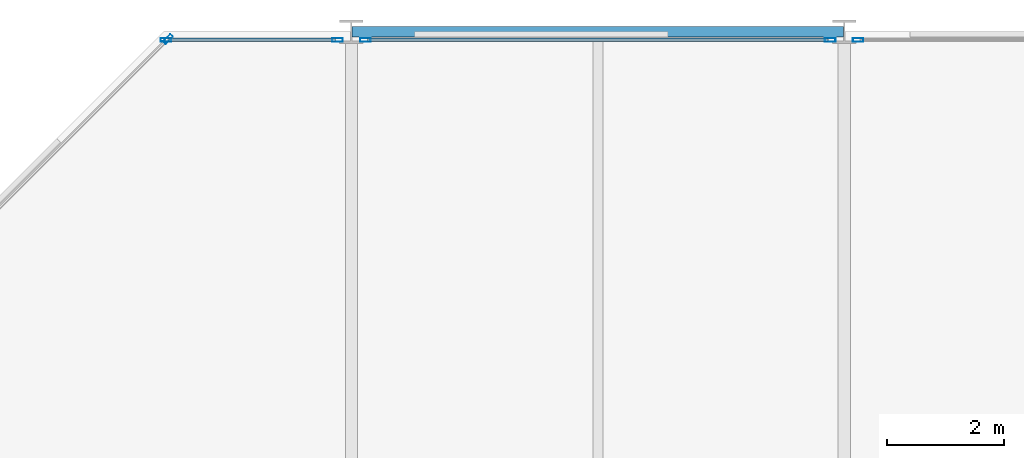
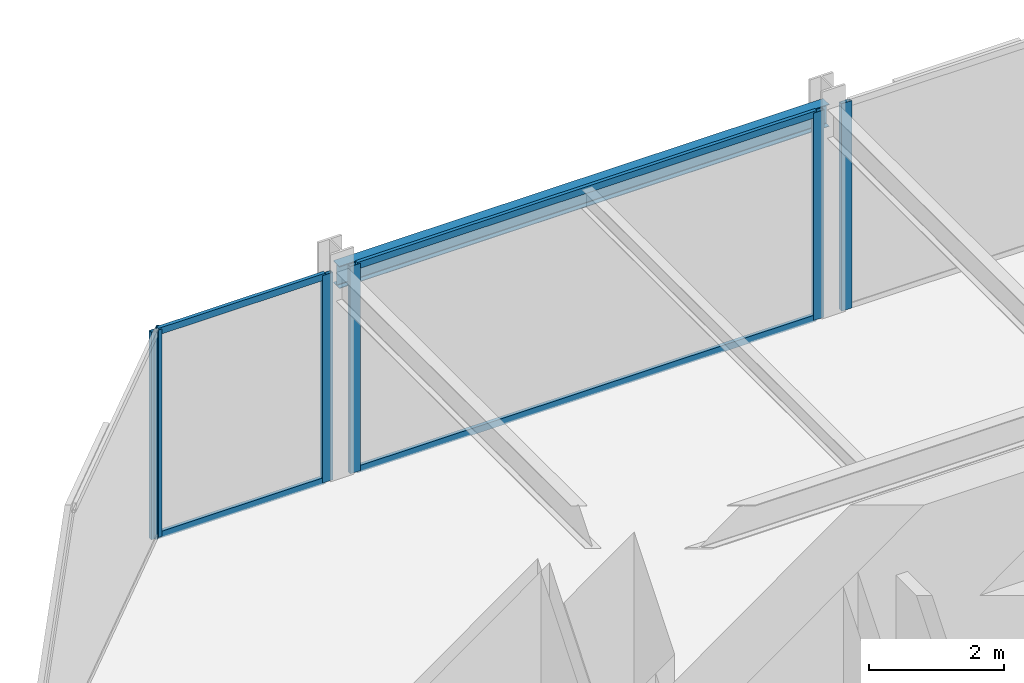
# One storey, part 21 of 29: 10 members, 1 beam, 4 elements without a shape of their own.
"""IFC4 building model written with IfcOpenShell, lengths in metres."""

from ifc_helpers import new_model, si_unit, direction, frame, origin, origin_2d, place, context, subcontext, project, spatial, hollow_rectangle, i_section, extrude, material, layer, layer_set, material_profile, profile_set, type_object, element, aggregate, save


model = new_model("IFC4")

# Units and contexts
model_context = context("Model", 3, precision=1e-05, world=origin(), true_north=direction((0.0, 1.0)))
body_context = subcontext(model_context, "Body", "Model", "MODEL_VIEW")
ifc_project = project(units=[si_unit("LENGTHUNIT", "METRE"), si_unit("AREAUNIT", "SQUARE_METRE"), si_unit("VOLUMEUNIT", "CUBIC_METRE"), si_unit("PLANEANGLEUNIT", "RADIAN"), si_unit("MASSUNIT", "GRAM", prefix="KILO")], contexts=[model_context])

# Site, building, storey
site_placement = place(None, origin())
site = spatial("IfcSite", under=ifc_project, at=site_placement, CompositionType="ELEMENT")
building_placement = place(site_placement, origin())
building = spatial("IfcBuilding", under=site, at=building_placement, Name="Nerrivon Quay Data Exchange", CompositionType="ELEMENT")
storey_placement = place(building_placement, frame((0.0, 0.0, 158.199951171875)))
storey = spatial("IfcBuildingStorey", under=building, at=storey_placement, Name="L37", CompositionType="ELEMENT", Elevation=158.199951171875)

# Beam
ifc_material_1 = material(Name="Steel Grade 350", Category="steel")
ifc_material_profile_1 = material_profile(ifc_material_1, i_section(OverallWidth=0.177978515625, OverallDepth=0.403076171875, WebThickness=0.007568359375, FlangeThickness=0.010986328125, FilletRadius=0.011474609375, at=origin_2d()), Name="410UB53.7")
ifc_profile_set_1 = profile_set([ifc_material_profile_1], Name="Steel Grade 350")
beam_type = type_object("IfcBeamType", Name="BM-SP2-410UB54", PredefinedType="SPANDREL", material=ifc_profile_set_1)
beam_placement = place(storey_placement, frame((8.41259765625, 50.39990234375, 3.548583984375), z_axis=(1.0, 0.0, 0.0), x_axis=(0.0, 1.0, 0.0)))
element("IfcBeam", 1, at=beam_placement, inside=storey, type_object=beam_type, Name="L37 EW Girder Y=50.4 (8.4..16.8)", PredefinedType="SPANDREL", context=body_context, shape_type="SweptSolid", body=[
    extrude(i_section(OverallWidth=0.177978515625, OverallDepth=0.403076171875, WebThickness=0.007568359375, FlangeThickness=0.010986328125, FilletRadius=0.011474609375, at=origin_2d()), origin(), (0.0, 0.0, 1.0), 8.375),
])

# Curtain wall, member
ifc_material_2 = material(Name="Anodised aluminium 6063-T6", Category="aluminium")
ifc_layer = layer(ifc_material_2, 0.2099609375)
ifc_layer_set = layer_set([ifc_layer], Name="Anodised aluminium 6063-T6")
curtain_wall_type = type_object("IfcCurtainWallType", Name="CW-SYS-02", PredefinedType="NOTDEFINED", material=ifc_layer_set)
curtain_wall_1_placement = place(storey_placement, origin())
curtain_wall_1 = element("IfcCurtainWall", 2, at=curtain_wall_1_placement, inside=storey, type_object=curtain_wall_type, Name="L37 Unitised Curtain Wall 17", PredefinedType="NOTDEFINED")
ifc_material_profile_2 = material_profile(ifc_material_2, hollow_rectangle(XDim=0.06494140625, YDim=0.179931640625, WallThickness=0.00341796875, at=origin_2d()), Name="ALU-MULL-180x65")
ifc_profile_set_2 = profile_set([ifc_material_profile_2], Name="Anodised aluminium 6063-T6")
member_type_1 = type_object("IfcMemberType", Name="CWM-180x65", PredefinedType="MULLION", material=ifc_profile_set_2)
member_1_placement = place(storey_placement, frame((5.2724609375, 50.2744140625, 0.0), z_axis=(0.0, 0.0, 1.0), x_axis=(-0.707106781187, 0.707106781187, 0.0)))
member_1 = element("IfcMember", 3, at=member_1_placement, type_object=member_type_1, Name="CW02 mullion 2", PredefinedType="MULLION", context=body_context, shape_type="SweptSolid", body=[
    extrude(hollow_rectangle(XDim=0.06494140625, YDim=0.179931640625, WallThickness=0.00341796875, at=origin_2d()), origin(), (0.0, 0.0, 1.0), 3.75),
])
aggregate(curtain_wall_1, [member_1])

# Curtain wall, members
curtain_wall_2_placement = place(storey_placement, origin())
curtain_wall_2 = element("IfcCurtainWall", 4, at=curtain_wall_2_placement, inside=storey, type_object=curtain_wall_type, Name="L37 Unitised Curtain Wall 18", PredefinedType="NOTDEFINED")
member_2_placement = place(storey_placement, frame((5.237548828125, 50.260009765625, 0.0), z_axis=(0.0, 0.0, 1.0), x_axis=(0.0, 1.0, 0.0)))
member_2 = element("IfcMember", 5, at=member_2_placement, type_object=member_type_1, Name="CW02 mullion 1", PredefinedType="MULLION", context=body_context, shape_type="SweptSolid", body=[
    extrude(hollow_rectangle(XDim=0.06494140625, YDim=0.179931640625, WallThickness=0.00341796875, at=origin_2d()), origin(), (0.0, 0.0, 1.0), 3.75),
])
member_3_placement = place(storey_placement, frame((8.16259765625, 50.260009765625, 0.0), z_axis=(0.0, 0.0, 1.0), x_axis=(0.0, 1.0, 0.0)))
member_3 = element("IfcMember", 6, at=member_3_placement, type_object=member_type_1, Name="CW02 mullion 2", PredefinedType="MULLION", context=body_context, shape_type="SweptSolid", body=[
    extrude(hollow_rectangle(XDim=0.06494140625, YDim=0.179931640625, WallThickness=0.00341796875, at=origin_2d()), origin(), (0.0, 0.0, 1.0), 3.75),
])

curtain_wall_3_placement = place(storey_placement, origin())
curtain_wall_3 = element("IfcCurtainWall", 7, at=curtain_wall_3_placement, inside=storey, type_object=curtain_wall_type, Name="L37 Unitised Curtain Wall 19", PredefinedType="NOTDEFINED")
member_4_placement = place(storey_placement, frame((8.637451171875, 50.260009765625, 0.0), z_axis=(0.0, 0.0, 1.0), x_axis=(0.0, 1.0, 0.0)))
member_4 = element("IfcMember", 8, at=member_4_placement, type_object=member_type_1, Name="CW02 mullion 1", PredefinedType="MULLION", context=body_context, shape_type="SweptSolid", body=[
    extrude(hollow_rectangle(XDim=0.06494140625, YDim=0.179931640625, WallThickness=0.00341796875, at=origin_2d()), origin(), (0.0, 0.0, 1.0), 3.75),
])
member_5_placement = place(storey_placement, frame((16.5625, 50.260009765625, 0.0), z_axis=(0.0, 0.0, 1.0), x_axis=(0.0, 1.0, 0.0)))
member_5 = element("IfcMember", 9, at=member_5_placement, type_object=member_type_1, Name="CW02 mullion 2", PredefinedType="MULLION", context=body_context, shape_type="SweptSolid", body=[
    extrude(hollow_rectangle(XDim=0.06494140625, YDim=0.179931640625, WallThickness=0.00341796875, at=origin_2d()), origin(), (0.0, 0.0, 1.0), 3.75),
])

# Curtain wall, member
curtain_wall_4_placement = place(storey_placement, origin())
curtain_wall_4 = element("IfcCurtainWall", 10, at=curtain_wall_4_placement, inside=storey, type_object=curtain_wall_type, Name="L37 Unitised Curtain Wall 20", PredefinedType="NOTDEFINED")
member_6_placement = place(storey_placement, frame((17.03759765625, 50.260009765625, 0.0), z_axis=(0.0, 0.0, 1.0), x_axis=(0.0, 1.0, 0.0)))
member_6 = element("IfcMember", 11, at=member_6_placement, type_object=member_type_1, Name="CW02 mullion 1", PredefinedType="MULLION", context=body_context, shape_type="SweptSolid", body=[
    extrude(hollow_rectangle(XDim=0.06494140625, YDim=0.179931640625, WallThickness=0.00341796875, at=origin_2d()), origin(), (0.0, 0.0, 1.0), 3.75),
])
aggregate(curtain_wall_4, [member_6])

# Member
ifc_material_profile_3 = material_profile(ifc_material_2, hollow_rectangle(XDim=0.06005859375, YDim=0.1201171875, WallThickness=0.003173828125, at=origin_2d()), Name="ALU-TRAN-120x60")
ifc_profile_set_3 = profile_set([ifc_material_profile_3], Name="Anodised aluminium 6063-T6")
member_type_2 = type_object("IfcMemberType", Name="CWT-120x60", PredefinedType="USERDEFINED", material=ifc_profile_set_3)
member_7_placement = place(storey_placement, frame((5.27490234375, 50.260009765625, 0.032470703125), z_axis=(1.0, 0.0, 0.0), x_axis=(0.0, 1.0, 0.0)))
member_7 = element("IfcMember", 12, at=member_7_placement, type_object=member_type_2, Name="CW02 transom 1.1", ObjectType="TRANSOM", PredefinedType="USERDEFINED", context=body_context, shape_type="SweptSolid", body=[
    extrude(hollow_rectangle(XDim=0.06005859375, YDim=0.1201171875, WallThickness=0.003173828125, at=origin_2d()), origin(), (0.0, 0.0, 1.0), 2.85009765625),
])

member_8_placement = place(storey_placement, frame((5.27490234375, 50.260009765625, 3.717529296875), z_axis=(1.0, 0.0, 0.0), x_axis=(0.0, 1.0, 0.0)))
member_8 = element("IfcMember", 13, at=member_8_placement, type_object=member_type_2, Name="CW02 transom 1.2", ObjectType="TRANSOM", PredefinedType="USERDEFINED", context=body_context, shape_type="SweptSolid", body=[
    extrude(hollow_rectangle(XDim=0.06005859375, YDim=0.1201171875, WallThickness=0.003173828125, at=origin_2d()), origin(), (0.0, 0.0, 1.0), 2.85009765625),
])

aggregate(curtain_wall_2, [member_2, member_3, member_7, member_8])

member_9_placement = place(storey_placement, frame((8.675048828125, 50.260009765625, 0.032470703125), z_axis=(1.0, 0.0, 0.0), x_axis=(0.0, 1.0, 0.0)))
member_9 = element("IfcMember", 14, at=member_9_placement, type_object=member_type_2, Name="CW02 transom 1.1", ObjectType="TRANSOM", PredefinedType="USERDEFINED", context=body_context, shape_type="SweptSolid", body=[
    extrude(hollow_rectangle(XDim=0.06005859375, YDim=0.1201171875, WallThickness=0.003173828125, at=origin_2d()), origin(), (0.0, 0.0, 1.0), 7.849853515625),
])

member_10_placement = place(storey_placement, frame((8.675048828125, 50.260009765625, 3.717529296875), z_axis=(1.0, 0.0, 0.0), x_axis=(0.0, 1.0, 0.0)))
member_10 = element("IfcMember", 15, at=member_10_placement, type_object=member_type_2, Name="CW02 transom 1.2", ObjectType="TRANSOM", PredefinedType="USERDEFINED", context=body_context, shape_type="SweptSolid", body=[
    extrude(hollow_rectangle(XDim=0.06005859375, YDim=0.1201171875, WallThickness=0.003173828125, at=origin_2d()), origin(), (0.0, 0.0, 1.0), 7.849853515625),
])

aggregate(curtain_wall_3, [member_4, member_5, member_9, member_10])

save(model, "model.ifc")
